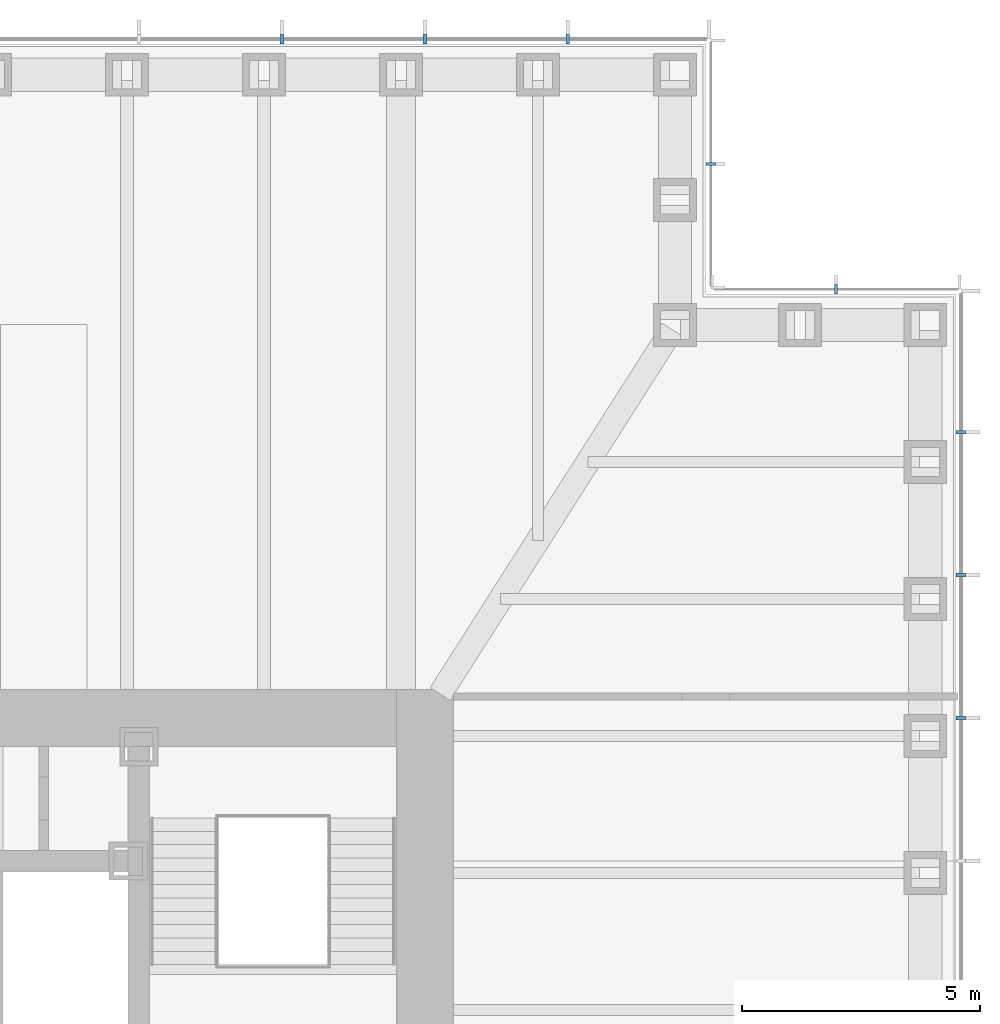
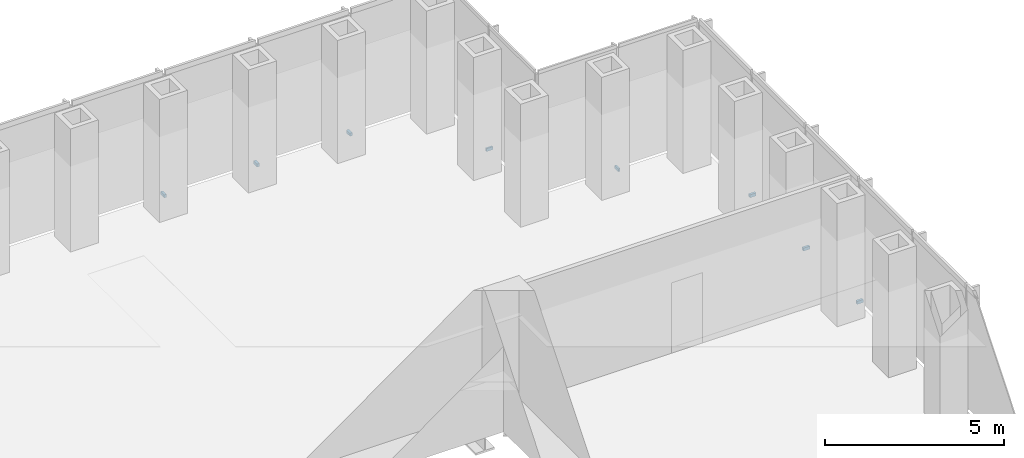
# One storey, part 15 of 16: 8 discrete accessories.
"""IFC4 building model written with IfcOpenShell, lengths in metres."""

from ifc_helpers import new_model, si_unit, direction, frame, origin, origin_2d, place, context, subcontext, project, spatial, rectangle, extrude, element, save


model = new_model("IFC4")

# Units and contexts
model_context = context("Model", 3, precision=1e-05, world=origin(), true_north=direction((0.0, 1.0)))
body_context = subcontext(model_context, "Body", "Model", "MODEL_VIEW")
ifc_project = project(units=[si_unit("LENGTHUNIT", "METRE"), si_unit("AREAUNIT", "SQUARE_METRE"), si_unit("VOLUMEUNIT", "CUBIC_METRE"), si_unit("PLANEANGLEUNIT", "RADIAN"), si_unit("MASSUNIT", "GRAM", prefix="KILO")], contexts=[model_context])

# Site, building, storey
site_placement = place(None, origin())
site = spatial("IfcSite", under=ifc_project, at=site_placement, CompositionType="ELEMENT")
building_placement = place(site_placement, origin())
building = spatial("IfcBuilding", under=site, at=building_placement, Name="Daluyong Arena Tower", CompositionType="ELEMENT")
storey_placement = place(building_placement, frame((0.0, 0.0, 133.300048828125)))
storey = spatial("IfcBuildingStorey", under=building, at=storey_placement, Name="L29", CompositionType="ELEMENT", Elevation=133.300048828125)

# Discrete accessories
for number, where, z_axis, x_axis, name in (
    (1, (79.25, 89.0, -0.10009765625), (0.0, 0.0, 1.0), (0.0, 1.0, 0.0), "curtain wall L29 E anchor bracket 10"),
    (2, (79.25, 92.0, -0.10009765625), (0.0, 0.0, 1.0), (0.0, 1.0, 0.0), "curtain wall L29 E anchor bracket 11"),
    (3, (79.25, 95.0, -0.10009765625), (0.0, 0.0, 1.0), (0.0, 1.0, 0.0), "curtain wall L29 E anchor bracket 12"),
):
    element("IfcDiscreteAccessory", number, at=place(storey_placement, frame(where, z_axis=z_axis, x_axis=x_axis)), inside=storey, Name=name, PredefinedType="BRACKET", context=body_context, shape_type="SweptSolid", body=[
        extrude(rectangle(XDim=0.080078125, YDim=0.199951171875, at=origin_2d()), origin(), (0.0, 0.0, 1.0), 0.10009765625),
    ])
for number, where, z_axis, x_axis, name in (
    (4, (76.625, 98.0, -0.10009765625), (0.0, 0.0, 1.0), (-1.0, 0.0, 0.0), "curtain wall L29 NE-N anchor bracket 2"),
    (5, (74.0, 100.625, -0.10009765625), (0.0, 0.0, 1.0), (0.0, 1.0, 0.0), "curtain wall L29 NE-E anchor bracket 2"),
):
    element("IfcDiscreteAccessory", number, at=place(storey_placement, frame(where, z_axis=z_axis, x_axis=x_axis)), inside=storey, Name=name, PredefinedType="BRACKET", context=body_context, shape_type="SweptSolid", body=[
        extrude(rectangle(XDim=0.06005859375, YDim=0.199951171875, at=origin_2d()), origin(), (0.0, 0.0, 1.0), 0.10009765625),
    ])
for number, where, z_axis, x_axis, name in (
    (6, (71.0, 103.25, -0.10009765625), (0.0, 0.0, 1.0), (-1.0, 0.0, 0.0), "curtain wall L29 N anchor bracket 2"),
    (7, (68.0, 103.25, -0.10009765625), (0.0, 0.0, 1.0), (-1.0, 0.0, 0.0), "curtain wall L29 N anchor bracket 3"),
    (8, (65.0, 103.25, -0.10009765625), (0.0, 0.0, 1.0), (-1.0, 0.0, 0.0), "curtain wall L29 N anchor bracket 4"),
):
    element("IfcDiscreteAccessory", number, at=place(storey_placement, frame(where, z_axis=z_axis, x_axis=x_axis)), inside=storey, Name=name, PredefinedType="BRACKET", context=body_context, shape_type="SweptSolid", body=[
        extrude(rectangle(XDim=0.080078125, YDim=0.199951171875, at=origin_2d()), origin(), (0.0, 0.0, 1.0), 0.10009765625),
    ])

save(model, "model.ifc")
